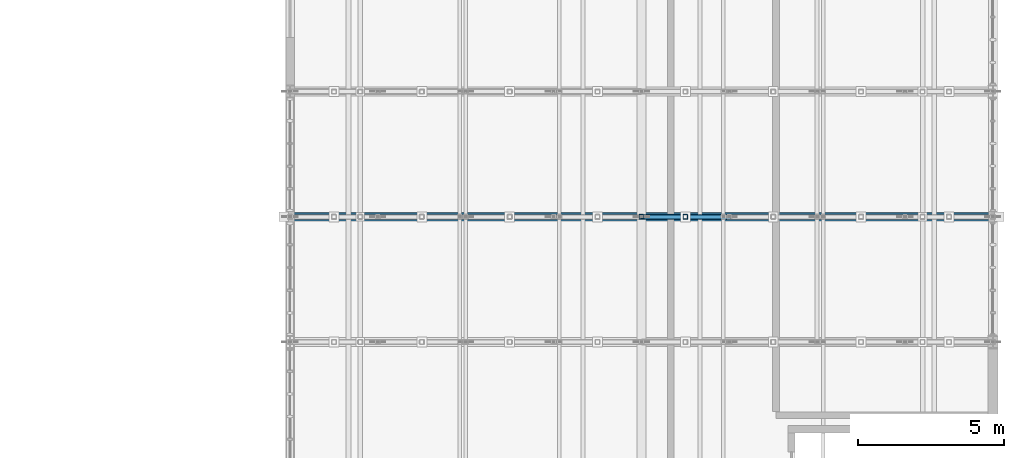
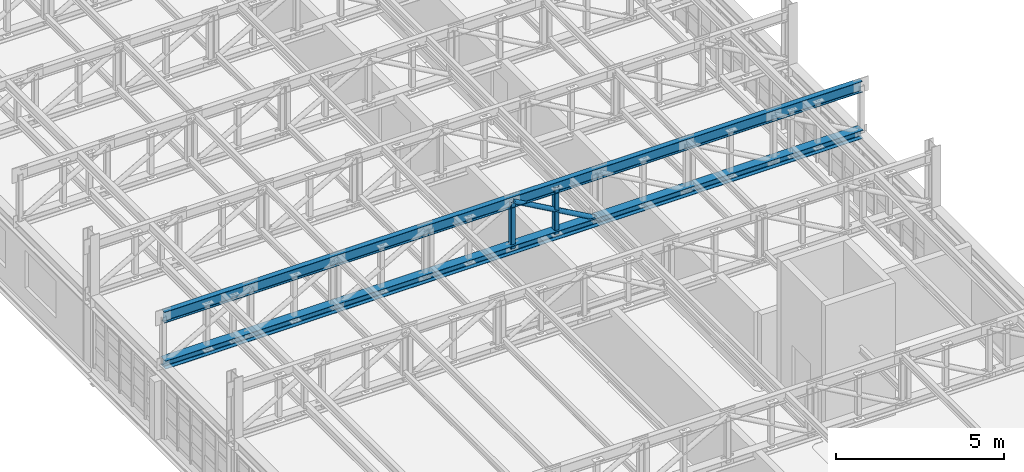
# One storey, part 38 of 128: 5 members.
"""IFC4 building model written with IfcOpenShell, lengths in metres."""

from ifc_helpers import new_model, si_unit, direction, frame, origin, origin_2d, place, context, subcontext, project, spatial, hollow_rectangle, hollow_circle, i_section, extrude, material, material_profile, profile_set, type_object, element, save


model = new_model("IFC4")

# Units and contexts
model_context = context("Model", 3, precision=1e-05, world=origin(), true_north=direction((0.0, 1.0)))
body_context = subcontext(model_context, "Body", "Model", "MODEL_VIEW")
ifc_project = project(units=[si_unit("LENGTHUNIT", "METRE"), si_unit("AREAUNIT", "SQUARE_METRE"), si_unit("VOLUMEUNIT", "CUBIC_METRE"), si_unit("PLANEANGLEUNIT", "RADIAN"), si_unit("MASSUNIT", "GRAM", prefix="KILO")], contexts=[model_context])

# Site, building, storey
site_placement = place(None, origin())
site = spatial("IfcSite", under=ifc_project, at=site_placement, CompositionType="ELEMENT")
building_placement = place(site_placement, origin())
building = spatial("IfcBuilding", under=site, at=building_placement, Name="Serraforn Aerial Cableway Station", CompositionType="ELEMENT")
storey_placement = place(building_placement, frame((0.0, 0.0, 9.0)))
storey = spatial("IfcBuildingStorey", under=building, at=storey_placement, Name="L02", CompositionType="ELEMENT", Elevation=9.0)

# Members
ifc_material = material(Name="Steel S355J2", Category="steel")
ifc_material_profile_1 = material_profile(ifc_material, i_section(OverallWidth=0.300048828125, OverallDepth=0.300048828125, WebThickness=0.008544921875, FlangeThickness=0.013916015625, FilletRadius=0.027099609375, at=origin_2d()), Name="HEA 300")
ifc_profile_set_1 = profile_set([ifc_material_profile_1], Name="Steel S355J2")
member_type_1 = type_object("IfcMemberType", Name="MEM-BC-HEA300", PredefinedType="CHORD", material=ifc_profile_set_1)
member_1_placement = place(storey_placement, frame((144.0, 66.97509765625, 2.60009765625), z_axis=(1.0, 0.0, 0.0), x_axis=(0.0, 1.0, 0.0)))
element("IfcMember", 1, at=member_1_placement, inside=storey, type_object=member_type_1, Name="Garage Truss GT-04 Bottom Chord", PredefinedType="CHORD", context=body_context, shape_type="SweptSolid", body=[
    extrude(i_section(OverallWidth=0.300048828125, OverallDepth=0.300048828125, WebThickness=0.008544921875, FlangeThickness=0.013916015625, FilletRadius=0.027099609375, at=origin_2d()), origin(), (0.0, 0.0, 1.0), 24.0),
])
ifc_material_profile_2 = material_profile(ifc_material, hollow_circle(Radius=0.084228515625, WallThickness=0.008056640625, at=origin_2d()), Name="CHS 168.3x8.0")
ifc_profile_set_2 = profile_set([ifc_material_profile_2], Name="Steel S355J2")
member_type_2 = type_object("IfcMemberType", Name="MEM-DG-CHS168", PredefinedType="BRACE", material=ifc_profile_set_2)
member_2_placement = place(storey_placement, frame((156.0, 66.97509765625, 4.2900390625), z_axis=(0.871272396707, 0.0, -0.490799766439), x_axis=(0.0, 1.0, 0.0)))
element("IfcMember", 2, at=member_2_placement, inside=storey, type_object=member_type_2, Name="Garage Truss GT-04 Diagonal 5", PredefinedType="BRACE", context=body_context, shape_type="SweptSolid", body=[
    extrude(hollow_circle(Radius=0.084228515625, WallThickness=0.008056640625, at=origin_2d()), origin(), (0.0, 0.0, 1.0), 3.443359375),
])
ifc_material_profile_3 = material_profile(ifc_material, i_section(OverallWidth=0.179931640625, OverallDepth=0.39990234375, WebThickness=0.008544921875, FlangeThickness=0.013427734375, FilletRadius=0.02099609375, at=origin_2d()), Name="IPE 400")
ifc_profile_set_3 = profile_set([ifc_material_profile_3], Name="Steel S355J2")
member_type_3 = type_object("IfcMemberType", Name="MEM-TC-IPE400", PredefinedType="CHORD", material=ifc_profile_set_3)
member_3_placement = place(storey_placement, frame((144.0, 66.97509765625, 4.2900390625), z_axis=(1.0, 0.0, 0.0), x_axis=(0.0, 1.0, 0.0)))
element("IfcMember", 3, at=member_3_placement, inside=storey, type_object=member_type_3, Name="Garage Truss GT-04 Top Chord", PredefinedType="CHORD", context=body_context, shape_type="SweptSolid", body=[
    extrude(i_section(OverallWidth=0.179931640625, OverallDepth=0.39990234375, WebThickness=0.008544921875, FlangeThickness=0.013427734375, FilletRadius=0.02099609375, at=origin_2d()), origin(), (0.0, 0.0, 1.0), 24.0),
])
ifc_material_profile_4 = material_profile(ifc_material, hollow_rectangle(XDim=0.159912109375, YDim=0.159912109375, WallThickness=0.008056640625, InnerFilletRadius=0.008056640625, OuterFilletRadius=0.01611328125, at=origin_2d()), Name="SHS 160x160x8.0")
ifc_profile_set_4 = profile_set([ifc_material_profile_4], Name="Steel S355J2")
member_type_4 = type_object("IfcMemberType", Name="MEM-VP-SHS160", PredefinedType="STRUT", material=ifc_profile_set_4)
for number, where, z_axis, x_axis, name in (
    (4, (156.0, 66.97509765625, 2.590087890625), (0.0, 0.0, 1.0), (1.0, 0.0, 0.0), "Garage Truss GT-04 Post 5"),
    (5, (157.5, 66.97509765625, 2.590087890625), (0.0, 0.0, 1.0), (1.0, 0.0, 0.0), "Garage Truss GT-04 Sub-Vertical 5"),
):
    element("IfcMember", number, at=place(storey_placement, frame(where, z_axis=z_axis, x_axis=x_axis)), inside=storey, type_object=member_type_4, Name=name, PredefinedType="STRUT", context=body_context, shape_type="SweptSolid", body=[
        extrude(hollow_rectangle(XDim=0.159912109375, YDim=0.159912109375, WallThickness=0.008056640625, InnerFilletRadius=0.008056640625, OuterFilletRadius=0.01611328125, at=origin_2d()), origin(), (0.0, 0.0, 1.0), 1.7099609375),
    ])

save(model, "model.ifc")
